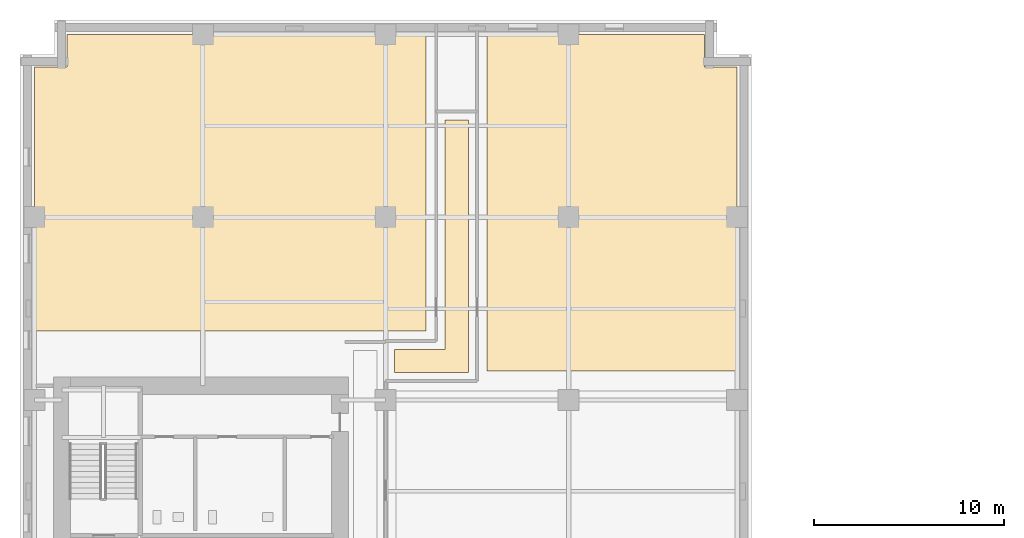
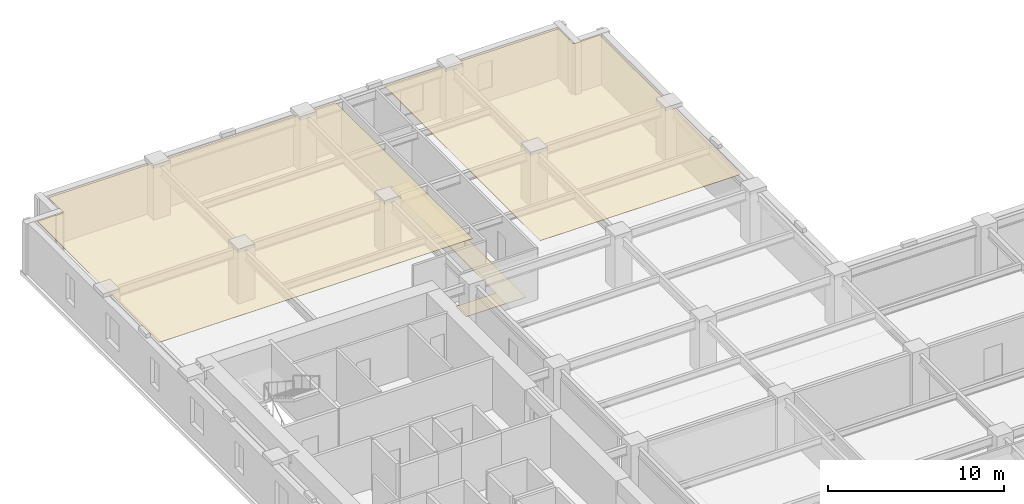
# One storey, part 12 of 13: 3 coverings.
"""IFC4 building model written with IfcOpenShell, lengths in metres."""

import ifcopenshell
import ifcopenshell.guid

model = None  # the IFC model being written
_history = None  # IfcOwnerHistory: only IFC2X3 demands one
_inside = {}  # id of a spatial element -> (the spatial element, [elements in it])
_under = {}  # id of a project, library or spatial element -> (it, [spatial elements below it])
_declared = {}  # id of a project -> (the project, [libraries it declares])
_typed = {}  # id of a type object -> (the type object, [elements of that type])
_made_of = {}  # id of a material, layer set ... -> (it, [elements and type objects made of it])


def new_model(schema):
    """Start an empty IFC model of exactly this schema.

    Asked for "IFC4X3", IfcOpenShell would pick the latest addendum, in which some entities
    have other attributes; the version numbers below select the first issue.
    IFC2X3 requires an IfcOwnerHistory on every rooted entity: one is made here for all.
    """
    global model, _history
    if schema == "IFC4X3":
        model = ifcopenshell.file(schema_version=(4, 3, 0, 0))
    else:
        model = ifcopenshell.file(schema=schema)
    _inside.clear()
    _under.clear()
    _declared.clear()
    _typed.clear()
    _made_of.clear()
    _history = None
    if model.schema == "IFC2X3":
        org = make("IfcOrganization", Name="unknown")
        user = make(
            "IfcPersonAndOrganization",
            ThePerson=make("IfcPerson", FamilyName="unknown"),
            TheOrganization=org,
        )
        app = make(
            "IfcApplication",
            ApplicationDeveloper=org,
            Version="unknown",
            ApplicationFullName="unknown",
            ApplicationIdentifier="unknown",
        )
        _history = make(
            "IfcOwnerHistory",
            OwningUser=user,
            OwningApplication=app,
            ChangeAction="ADDED",
            CreationDate=0,
        )
    return model


def make(cls, **values):
    """One entity of the class cls with the attributes given. An attribute that is None is left unset."""
    return model.create_entity(
        cls, **{name: value for name, value in values.items() if value is not None}
    )


def rooted(cls, **values):
    """An entity with a GlobalId (a new one), such as an element, a storey or a relation."""
    return make(cls, GlobalId=ifcopenshell.guid.new(), OwnerHistory=_history, **values)


def si_unit(unit_type, name, prefix=None):
    """IfcSIUnit, for example si_unit("LENGTHUNIT", "METRE", prefix="MILLI")."""
    return make("IfcSIUnit", UnitType=unit_type, Prefix=prefix, Name=name)


def assignment(units):
    """IfcUnitAssignment: the units of a project."""
    return None if units is None else make("IfcUnitAssignment", Units=units)


def point(xyz):
    """IfcCartesianPoint."""
    return None if xyz is None else make("IfcCartesianPoint", Coordinates=xyz)


def direction(xyz):
    """IfcDirection."""
    return None if xyz is None else make("IfcDirection", DirectionRatios=xyz)


def frame(location, z_axis=None, x_axis=None):
    """IfcAxis2Placement3D, a coordinate frame: its origin and axes. An axis left out is left unset."""
    return make(
        "IfcAxis2Placement3D",
        Location=point(location),
        Axis=direction(z_axis),
        RefDirection=direction(x_axis),
    )


def origin():
    """The frame at (0, 0, 0) with its axes left unset."""
    return frame((0.0, 0.0, 0.0))


def place(relative_to, where):
    """IfcLocalPlacement: puts the frame where relative to a parent placement (None: the world)."""
    return make(
        "IfcLocalPlacement", PlacementRelTo=relative_to, RelativePlacement=where
    )


def context(
    kind, dimensions, precision=None, world=None, true_north=None, identifier=None
):
    """IfcGeometricRepresentationContext, for example the 3D "Model" context."""
    return make(
        "IfcGeometricRepresentationContext",
        ContextIdentifier=identifier,
        ContextType=kind,
        CoordinateSpaceDimension=dimensions,
        Precision=precision,
        WorldCoordinateSystem=world,
        TrueNorth=true_north,
    )


def subcontext(parent, identifier, kind, view, scale=None):
    """IfcGeometricRepresentationSubContext, for example "Body" below "Model"."""
    return make(
        "IfcGeometricRepresentationSubContext",
        ContextIdentifier=identifier,
        ContextType=kind,
        ParentContext=parent,
        TargetScale=scale,
        TargetView=view,
    )


def project(units=None, contexts=None):
    """IfcProject with its units and contexts."""
    return rooted(
        "IfcProject",
        Name="project",
        RepresentationContexts=contexts,
        UnitsInContext=assignment(units),
    )


def spatial(cls, under=None, at=None, **own):
    """A site, building, storey or space (cls), placed at a placement, below another one or the project."""
    s = rooted(cls, ObjectPlacement=at, **own)
    if under is not None:
        _under.setdefault(under.id(), (under, []))[1].append(s)
    return s


def polyline(points):
    """IfcPolyline through the points."""
    return make("IfcPolyline", Points=[point(p) for p in points])


def outline(outer, holes=None, kind="AREA"):
    """IfcArbitraryClosedProfileDef: a profile drawn as a closed curve; with holes, ...WithVoids."""
    if holes is None:
        return make("IfcArbitraryClosedProfileDef", ProfileType=kind, OuterCurve=outer)
    return make(
        "IfcArbitraryProfileDefWithVoids",
        ProfileType=kind,
        OuterCurve=outer,
        InnerCurves=holes,
    )


def extrude(swept, where, along, depth):
    """IfcExtrudedAreaSolid: the profile swept, set in the frame where, extruded along a direction by depth."""
    return make(
        "IfcExtrudedAreaSolid",
        SweptArea=swept,
        Position=where,
        ExtrudedDirection=direction(along),
        Depth=depth,
    )


def shape(context_of_items, identifier, shape_type, items):
    """IfcShapeRepresentation: the items that make up one representation, for example the "Body"."""
    return make(
        "IfcShapeRepresentation",
        ContextOfItems=context_of_items,
        RepresentationIdentifier=identifier,
        RepresentationType=shape_type,
        Items=items,
    )


def material(Name=None, Category=None):
    """IfcMaterial."""
    return make("IfcMaterial", Name=Name, Category=Category)


def layer(
    of_material, thickness, ventilated=None, Name=None, Category=None, Priority=None
):
    """IfcMaterialLayer: one layer of a wall or slab, of a material (None: an air gap)."""
    return make(
        "IfcMaterialLayer",
        Material=of_material,
        LayerThickness=thickness,
        IsVentilated=ventilated,
        Name=Name,
        Category=Category,
        Priority=Priority,
    )


def layer_set(layers, Name=None):
    """IfcMaterialLayerSet."""
    return make("IfcMaterialLayerSet", MaterialLayers=layers, LayerSetName=Name)


def made_of(thing, what):
    """Note that an element or type object is made of a material, layer set ...; save() writes the relation."""
    if what is not None:
        _made_of.setdefault(what.id(), (what, []))[1].append(thing)
    return thing


def type_object(cls, material=None, **own):
    """A type object (cls), such as IfcWallType, which elements share."""
    return made_of(rooted(cls, **own), material)


def element(
    cls,
    number,
    at=None,
    inside=None,
    cuts=None,
    type_object=None,
    material=None,
    context=None,
    identifier="Body",
    shape_type=None,
    held_by="IfcProductDefinitionShape",
    body=None,
    shapes=None,
    **own,
):
    """One element of the class cls, such as IfcWall. Its Tag is "e" and its number.

    at: its placement. inside: the storey or other place that contains it. cuts: it is an
    opening in that element (IfcRelVoidsElement). A single representation is given by context,
    identifier, shape_type and body (its items); several are given by shapes. held_by: the class
    of the entity that holds the representations. save() writes the other relations.
    """
    e = rooted(cls, Tag="e%d" % number, ObjectPlacement=at, **own)
    if body is not None:
        shapes = [shape(context, identifier, shape_type, body)]
    if shapes is not None:
        e.Representation = make(held_by, Representations=shapes)
    if inside is not None:
        _inside.setdefault(inside.id(), (inside, []))[1].append(e)
    if cuts is not None:
        rooted(
            "IfcRelVoidsElement", RelatingBuildingElement=cuts, RelatedOpeningElement=e
        )
    if type_object is not None:
        _typed.setdefault(type_object.id(), (type_object, []))[1].append(e)
    return made_of(e, material)


def aggregate(whole, parts):
    """IfcRelAggregates: a whole, such as a stair, and the parts it consists of."""
    return rooted("IfcRelAggregates", RelatingObject=whole, RelatedObjects=parts)


def save(model, path):
    """Write the relations noted so far, then the file.

    IfcRelAggregates (storeys below a building ...), IfcRelContainedInSpatialStructure (elements
    in a storey), IfcRelDefinesByType, IfcRelAssociatesMaterial and IfcRelDeclares: one each for
    every whole, place, type object, material and project.
    """
    for whole, parts in _under.values():
        aggregate(whole, parts)
    for where, things in _inside.values():
        rooted(
            "IfcRelContainedInSpatialStructure",
            RelatedElements=things,
            RelatingStructure=where,
        )
    for kind, things in _typed.values():
        rooted("IfcRelDefinesByType", RelatedObjects=things, RelatingType=kind)
    for what, things in _made_of.values():
        rooted("IfcRelAssociatesMaterial", RelatedObjects=things, RelatingMaterial=what)
    for by, libraries in _declared.values():
        rooted("IfcRelDeclares", RelatingContext=by, RelatedDefinitions=libraries)
    model.write(path)


model = new_model("IFC4")

# Units and contexts
model_context = context("Model", 3, precision=1e-05, world=origin(), true_north=direction((0.0, 1.0)))
body_context = subcontext(model_context, "Body", "Model", "MODEL_VIEW")
ifc_project = project(units=[si_unit("LENGTHUNIT", "METRE"), si_unit("AREAUNIT", "SQUARE_METRE"), si_unit("VOLUMEUNIT", "CUBIC_METRE"), si_unit("PLANEANGLEUNIT", "RADIAN"), si_unit("MASSUNIT", "GRAM", prefix="KILO")], contexts=[model_context])

# Site, building, storey
site_placement = place(None, origin())
site = spatial("IfcSite", under=ifc_project, at=site_placement, CompositionType="ELEMENT")
building_placement = place(site_placement, origin())
building = spatial("IfcBuilding", under=site, at=building_placement, Name="Norrvale University Quadrangle", CompositionType="ELEMENT")
storey_placement = place(building_placement, frame((0.0, 0.0, 66.0)))
storey = spatial("IfcBuildingStorey", under=building, at=storey_placement, Name="L16", CompositionType="ELEMENT", Elevation=66.0)

# Coverings
ifc_material_1 = material(Name="Perforated Acoustic Mineral Ceiling")
ifc_layer_1 = layer(ifc_material_1, 0.02490234375, Name="Perforated Acoustic Mineral Ceiling")
ifc_layer_set_1 = layer_set([ifc_layer_1], Name="Perforated Acoustic Mineral Ceiling")
covering_type_1 = type_object("IfcCoveringType", Name="Covering Acoustic Ceiling 25", PredefinedType="CEILING", material=ifc_layer_set_1)
covering_1_placement = place(storey_placement, frame((0.0, 0.0, 3.514892578125)))
element("IfcCovering", 1, at=covering_1_placement, inside=storey, type_object=covering_type_1, Name="Acoustic Ceiling RM-L16-NE01", PredefinedType="CEILING", context=body_context, shape_type="SweptSolid", body=[
    extrude(outline(polyline([(37.64990234375, 48.780029296875), (24.530029296875, 48.780029296875), (24.530029296875, 66.449951171875), (35.929931640625, 66.449951171875), (35.929931640625, 64.72998046875), (37.64990234375, 64.72998046875), (37.64990234375, 48.780029296875)])), origin(), (0.0, 0.0, 1.0), 0.025146484375),
])
covering_2_placement = place(storey_placement, frame((0.0, 0.0, 3.514892578125)))
element("IfcCovering", 2, at=covering_2_placement, inside=storey, type_object=covering_type_1, Name="Acoustic Ceiling RM-L16-NW01", PredefinedType="CEILING", context=body_context, shape_type="SweptSolid", body=[
    extrude(outline(polyline([(21.320068359375, 66.449951171875), (21.320068359375, 50.8798828125), (0.75, 50.8798828125), (0.75, 64.72998046875), (2.469970703125, 64.72998046875), (2.469970703125, 66.449951171875), (21.320068359375, 66.449951171875)])), origin(), (0.0, 0.0, 1.0), 0.025146484375),
])
ifc_material_2 = material(Name="Polished Terrazzo Flooring")
ifc_layer_2 = layer(ifc_material_2, 0.02490234375, Name="Polished Terrazzo Flooring")
ifc_layer_set_2 = layer_set([ifc_layer_2], Name="Polished Terrazzo Flooring")
covering_type_2 = type_object("IfcCoveringType", Name="Covering Terrazzo Floor 30", PredefinedType="FLOORING", material=ifc_layer_set_2)
covering_3_placement = place(storey_placement, origin())
element("IfcCovering", 3, at=covering_3_placement, inside=storey, type_object=covering_type_2, Name="Terrazzo Flooring RM-L16-NCJOG", PredefinedType="FLOORING", context=body_context, shape_type="SweptSolid", body=[
    extrude(outline(polyline([(19.64990234375, 48.699951171875), (19.64990234375, 49.89990234375), (22.300048828125, 49.89990234375), (22.300048828125, 61.949951171875), (23.550048828125, 61.949951171875), (23.550048828125, 48.699951171875), (19.64990234375, 48.699951171875)])), origin(), (0.0, 0.0, 1.0), 0.02490234375),
])

save(model, "model.ifc")
